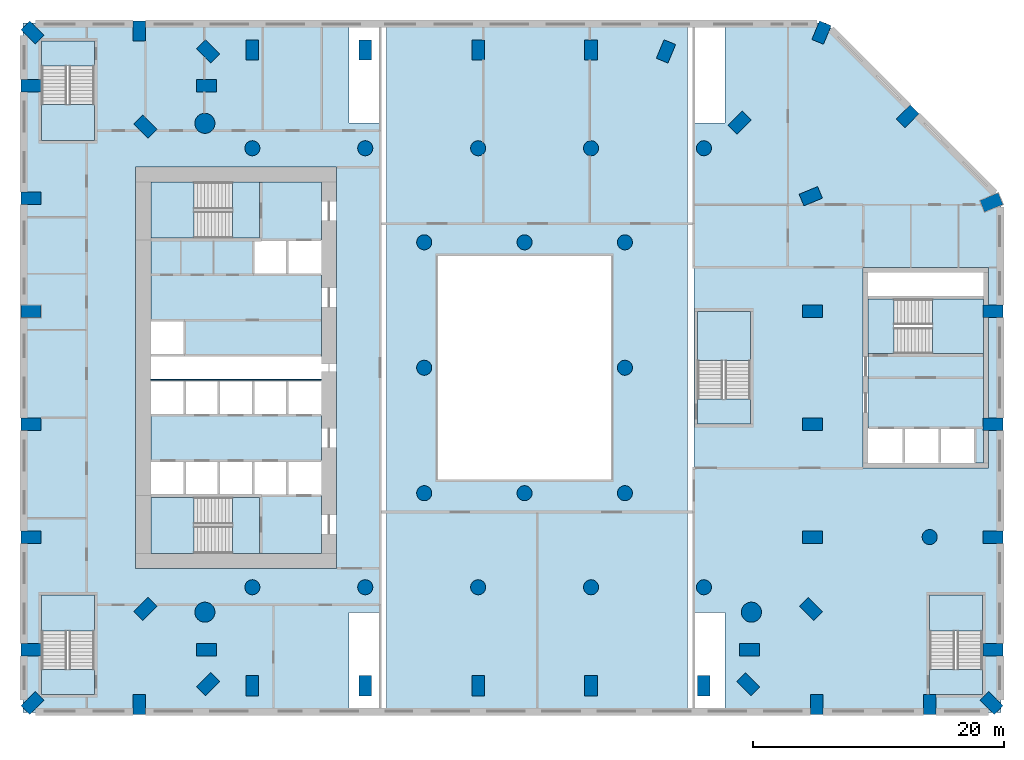
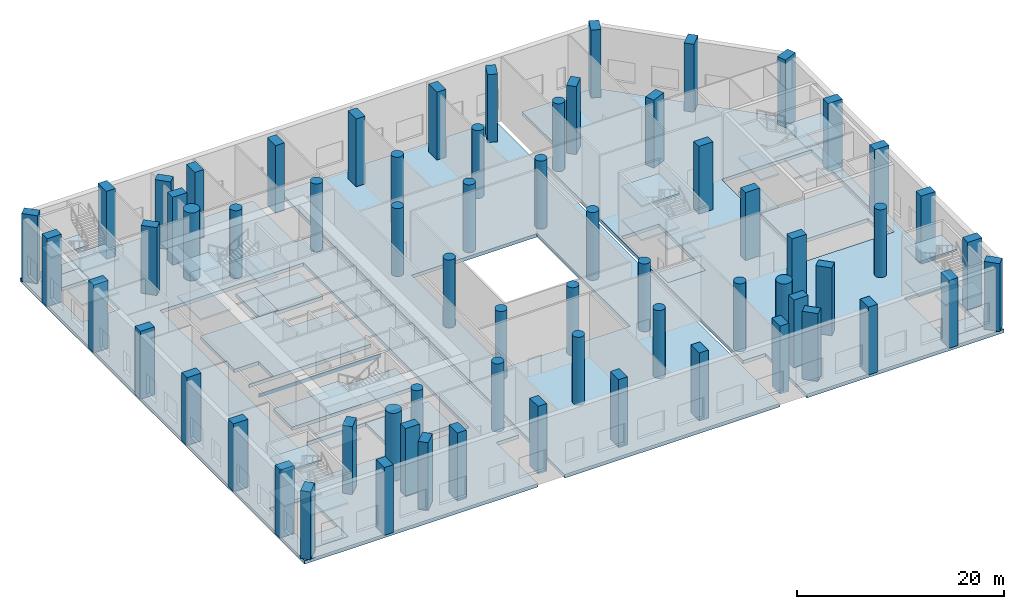
# One storey, part 1 of 18: 66 columns, 36 slabs, 7 elements without a shape of their own.
"""IFC4 building model written with IfcOpenShell, lengths in metres."""

from ifc_helpers import new_model, si_unit, direction, frame, origin, origin_2d, place, context, subcontext, project, spatial, polyline, rectangle, circle, outline, extrude, material, layer, layer_set, material_profile, profile_set, type_object, element, aggregate, save


model = new_model("IFC4")

# Units and contexts
model_context = context("Model", 3, precision=1e-05, world=origin(), true_north=direction((0.0, 1.0)))
body_context = subcontext(model_context, "Body", "Model", "MODEL_VIEW")
ifc_project = project(units=[si_unit("LENGTHUNIT", "METRE"), si_unit("AREAUNIT", "SQUARE_METRE"), si_unit("VOLUMEUNIT", "CUBIC_METRE"), si_unit("PLANEANGLEUNIT", "RADIAN"), si_unit("MASSUNIT", "GRAM", prefix="KILO")], contexts=[model_context])

# Site, building, storey
site_placement = place(None, origin())
site = spatial("IfcSite", under=ifc_project, at=site_placement, CompositionType="ELEMENT")
building_placement = place(site_placement, origin())
building = spatial("IfcBuilding", under=site, at=building_placement, Name="Cypress Arch Tower", CompositionType="ELEMENT")
storey_placement = place(building_placement, frame((0.0, 0.0, 36.0)))
storey = spatial("IfcBuildingStorey", under=building, at=storey_placement, Name="L04", CompositionType="ELEMENT", Elevation=36.0)

# Columns
ifc_material_1 = material(Name="Concrete C80/95", Category="concrete")
ifc_material_profile_1 = material_profile(ifc_material_1, circle(Radius=0.60009765625, at=origin_2d()), Name="RC D1200")
ifc_profile_set_1 = profile_set([ifc_material_profile_1], Name="Concrete C80/95")
column_type_1 = type_object("IfcColumnType", Name="Column RC D1200 Concrete C80/95", PredefinedType="COLUMN", material=ifc_profile_set_1)
for number, where, z_axis, x_axis, name in (
    (1, (-20.699951171875, -17.5, 0.0), (0.0, 0.0, 1.0), (1.0, 0.0, 0.0), "Column L04 CIC-L04-CI3S"),
    (2, (-11.699951171875, -17.5, 0.0), (0.0, 0.0, 1.0), (1.0, 0.0, 0.0), "Column L04 CIC-L04-CI4S"),
    (3, (-2.699951171875, -17.5, 0.0), (0.0, 0.0, 1.0), (1.0, 0.0, 0.0), "Column L04 CIC-L04-CI5S"),
    (4, (6.300048828125, -17.5, 0.0), (0.0, 0.0, 1.0), (1.0, 0.0, 0.0), "Column L04 CIC-L04-CI6S"),
    (5, (15.300048828125, -17.5, 0.0), (0.0, 0.0, 1.0), (1.0, 0.0, 0.0), "Column L04 CIC-L04-CI7S"),
    (6, (-20.699951171875, 17.5, 0.0), (0.0, 0.0, 1.0), (1.0, 0.0, 0.0), "Column L04 CIC-L04-CI3N"),
    (7, (-11.699951171875, 17.5, 0.0), (0.0, 0.0, 1.0), (1.0, 0.0, 0.0), "Column L04 CIC-L04-CI4N"),
    (8, (-2.699951171875, 17.5, 0.0), (0.0, 0.0, 1.0), (1.0, 0.0, 0.0), "Column L04 CIC-L04-CI5N"),
    (9, (6.300048828125, 17.5, 0.0), (0.0, 0.0, 1.0), (1.0, 0.0, 0.0), "Column L04 CIC-L04-CI6N"),
    (10, (15.300048828125, 17.5, 0.0), (0.0, 0.0, 1.0), (1.0, 0.0, 0.0), "Column L04 CIC-L04-CI7N"),
    (11, (-7.0, -10.0, 0.0), (0.0, 0.0, 1.0), (1.0, 0.0, 0.0), "Column L04 RNG-L04-G-7-10"),
    (12, (-7.0, 0.0, 0.0), (0.0, 0.0, 1.0), (1.0, 0.0, 0.0), "Column L04 RNG-L04-G-7+0"),
    (13, (-7.0, 10.0, 0.0), (0.0, 0.0, 1.0), (1.0, 0.0, 0.0), "Column L04 RNG-L04-G-7+10"),
    (14, (1.0, -10.0, 0.0), (0.0, 0.0, 1.0), (1.0, 0.0, 0.0), "Column L04 RNG-L04-G+1-10"),
    (15, (1.0, 10.0, 0.0), (0.0, 0.0, 1.0), (1.0, 0.0, 0.0), "Column L04 RNG-L04-G+1+10"),
    (16, (9.0, -10.0, 0.0), (0.0, 0.0, 1.0), (1.0, 0.0, 0.0), "Column L04 RNG-L04-G+9-10"),
    (17, (9.0, 0.0, 0.0), (0.0, 0.0, 1.0), (1.0, 0.0, 0.0), "Column L04 RNG-L04-G+9+0"),
    (18, (9.0, 10.0, 0.0), (0.0, 0.0, 1.0), (1.0, 0.0, 0.0), "Column L04 RNG-L04-G+9+10"),
    (19, (33.300048828125, -13.5, 0.0), (0.0, 0.0, 1.0), (1.0, 0.0, 0.0), "Column L04 PIC-L04-01"),
):
    element("IfcColumn", number, at=place(storey_placement, frame(where, z_axis=z_axis, x_axis=x_axis)), inside=storey, type_object=column_type_1, Name=name, PredefinedType="COLUMN", context=body_context, shape_type="SweptSolid", body=[
        extrude(circle(Radius=0.60009765625, at=origin_2d()), origin(), (0.0, 0.0, 1.0), 8.0),
    ])
ifc_material_2 = material(Name="Concrete C80/95", Category="concrete")
ifc_material_profile_2 = material_profile(ifc_material_2, circle(Radius=0.800048828125, at=origin_2d()), Name="RC D1600")
ifc_profile_set_2 = profile_set([ifc_material_profile_2], Name="Concrete C80/95")
column_type_2 = type_object("IfcColumnType", Name="Mega-column RC D1600 Concrete C80/95", PredefinedType="COLUMN", material=ifc_profile_set_2)
for number, where, z_axis, x_axis, name in (
    (20, (-24.48779296875, -19.48779296875, 0.0), (0.0, 0.0, 1.0), (1.0, 0.0, 0.0), "Column L04 CA02"),
    (21, (19.087890625, -19.48779296875, 0.0), (0.0, 0.0, 1.0), (1.0, 0.0, 0.0), "Column L04 CA12"),
    (22, (-24.48779296875, 19.48779296875, 0.0), (0.0, 0.0, 1.0), (1.0, 0.0, 0.0), "Column L04 CA26"),
):
    element("IfcColumn", number, at=place(storey_placement, frame(where, z_axis=z_axis, x_axis=x_axis)), inside=storey, type_object=column_type_2, Name=name, PredefinedType="COLUMN", context=body_context, shape_type="SweptSolid", body=[
        extrude(circle(Radius=0.800048828125, at=origin_2d()), origin(), (0.0, 0.0, 1.0), 8.0),
    ])
ifc_material_3 = material(Name="Concrete C80/95", Category="concrete")
ifc_material_profile_3 = material_profile(ifc_material_3, rectangle(XDim=1.0, YDim=1.60009765625, at=origin_2d()), Name="RC 1000x1600")
ifc_profile_set_3 = profile_set([ifc_material_profile_3], Name="Concrete C80/95")
column_type_3 = type_object("IfcColumnType", Name="Podium column RC 1000x1600 Concrete C80/95", PredefinedType="COLUMN", material=ifc_profile_set_3)
for number, where, z_axis, x_axis, name in (
    (23, (-29.230712890625, 19.230712890625, 0.0), (0.0, 0.0, 1.0), (-0.707106781187, -0.707106781187, 0.0), "Column L04 CA00"),
    (24, (-29.230712890625, -19.230712890625, 0.0), (0.0, 0.0, 1.0), (0.707106781187, -0.707106781187, 0.0), "Column L04 CA01"),
    (25, (-24.35009765625, -22.5, 0.0), (0.0, 0.0, 1.0), (0.0, -1.0, 0.0), "Column L04 CA03"),
    (26, (-24.230712890625, -25.230712890625, 0.0), (0.0, 0.0, 1.0), (0.707106781187, -0.707106781187, 0.0), "Column L04 CA04"),
    (27, (-20.699951171875, -25.35009765625, 0.0), (0.0, 0.0, 1.0), (1.0, 0.0, 0.0), "Column L04 CA05"),
    (28, (-11.699951171875, -25.35009765625, 0.0), (0.0, 0.0, 1.0), (1.0, 0.0, 0.0), "Column L04 CA06"),
    (29, (-2.699951171875, -25.35009765625, 0.0), (0.0, 0.0, 1.0), (1.0, 0.0, 0.0), "Column L04 CA07"),
    (30, (6.300048828125, -25.35009765625, 0.0), (0.0, 0.0, 1.0), (1.0, 0.0, 0.0), "Column L04 CA08"),
    (31, (15.300048828125, -25.35009765625, 0.0), (0.0, 0.0, 1.0), (1.0, 0.0, 0.0), "Column L04 CA09"),
    (32, (18.830810546875, -25.230712890625, 0.0), (0.0, 0.0, 1.0), (0.707106781187, 0.707106781187, 0.0), "Column L04 CA10"),
    (33, (18.949951171875, -22.5, 0.0), (0.0, 0.0, 1.0), (0.0, 1.0, 0.0), "Column L04 CA11"),
    (34, (23.830810546875, -19.230712890625, 0.0), (0.0, 0.0, 1.0), (0.707106781187, 0.707106781187, 0.0), "Column L04 CA13"),
    (35, (23.949951171875, -13.5, 0.0), (0.0, 0.0, 1.0), (0.0, 1.0, 0.0), "Column L04 CA14"),
    (36, (23.949951171875, -4.5, 0.0), (0.0, 0.0, 1.0), (0.0, 1.0, 0.0), "Column L04 CA15"),
    (37, (23.949951171875, 4.5, 0.0), (0.0, 0.0, 1.0), (0.0, 1.0, 0.0), "Column L04 CA16"),
    (38, (23.819580078125, 13.6767578125, 0.0), (0.0, 0.0, 1.0), (-0.382683496864, 0.923879505795, 0.0), "Column L04 CA17"),
    (39, (18.140380859375, 19.540283203125, 0.0), (0.0, 0.0, 1.0), (-0.707106781187, 0.707106781187, 0.0), "Column L04 CA18"),
    (40, (12.276611328125, 25.219482421875, 0.0), (0.0, 0.0, 1.0), (-0.923879505795, 0.382683496864, 0.0), "Column L04 CA19"),
    (41, (6.300048828125, 25.35009765625, 0.0), (0.0, 0.0, 1.0), (-1.0, 0.0, 0.0), "Column L04 CA20"),
    (42, (-2.699951171875, 25.35009765625, 0.0), (0.0, 0.0, 1.0), (-1.0, 0.0, 0.0), "Column L04 CA21"),
    (43, (-11.699951171875, 25.35009765625, 0.0), (0.0, 0.0, 1.0), (-1.0, 0.0, 0.0), "Column L04 CA22"),
    (44, (-20.699951171875, 25.35009765625, 0.0), (0.0, 0.0, 1.0), (-1.0, 0.0, 0.0), "Column L04 CA23"),
    (45, (-24.230712890625, 25.230712890625, 0.0), (0.0, 0.0, 1.0), (-0.707106781187, -0.707106781187, 0.0), "Column L04 CA24"),
    (46, (-24.35009765625, 22.5, 0.0), (0.0, 0.0, 1.0), (0.0, -1.0, 0.0), "Column L04 CA25"),
    (47, (-38.230712890625, -26.730712890625, 0.0), (0.0, 0.0, 1.0), (0.707106781187, -0.707106781187, 0.0), "Column L04 CP00"),
    (48, (-29.699951171875, -26.85009765625, 0.0), (0.0, 0.0, 1.0), (1.0, 0.0, 0.0), "Column L04 CP01"),
    (49, (24.300048828125, -26.85009765625, 0.0), (0.0, 0.0, 1.0), (1.0, 0.0, 0.0), "Column L04 CP07"),
    (50, (33.300048828125, -26.85009765625, 0.0), (0.0, 0.0, 1.0), (1.0, 0.0, 0.0), "Column L04 CP08"),
    (51, (38.230712890625, -26.730712890625, 0.0), (0.0, 0.0, 1.0), (0.707106781187, 0.707106781187, 0.0), "Column L04 CP09"),
    (52, (38.35009765625, -22.5, 0.0), (0.0, 0.0, 1.0), (0.0, 1.0, 0.0), "Column L04 CP10"),
    (53, (38.35009765625, -13.5, 0.0), (0.0, 0.0, 1.0), (0.0, 1.0, 0.0), "Column L04 CP11"),
    (54, (38.35009765625, -4.5, 0.0), (0.0, 0.0, 1.0), (0.0, 1.0, 0.0), "Column L04 CP12"),
    (55, (38.35009765625, 4.5, 0.0), (0.0, 0.0, 1.0), (0.0, 1.0, 0.0), "Column L04 CP13"),
    (56, (38.219482421875, 13.1767578125, 0.0), (0.0, 0.0, 1.0), (-0.382683496864, 0.923879505795, 0.0), "Column L04 CP14"),
    (57, (31.540283203125, 20.040283203125, 0.0), (0.0, 0.0, 1.0), (-0.707106781187, 0.707106781187, 0.0), "Column L04 CP15"),
    (58, (24.6767578125, 26.719482421875, 0.0), (0.0, 0.0, 1.0), (-0.923879505795, 0.382683496864, 0.0), "Column L04 CP16"),
    (59, (-29.699951171875, 26.85009765625, 0.0), (0.0, 0.0, 1.0), (-1.0, 0.0, 0.0), "Column L04 CP22"),
    (60, (-38.230712890625, 26.730712890625, 0.0), (0.0, 0.0, 1.0), (-0.707106781187, -0.707106781187, 0.0), "Column L04 CP23"),
    (61, (-38.35009765625, 22.5, 0.0), (0.0, 0.0, 1.0), (0.0, -1.0, 0.0), "Column L04 CP24"),
    (62, (-38.35009765625, 13.5, 0.0), (0.0, 0.0, 1.0), (0.0, -1.0, 0.0), "Column L04 CP25"),
    (63, (-38.35009765625, 4.5, 0.0), (0.0, 0.0, 1.0), (0.0, -1.0, 0.0), "Column L04 CP26"),
    (64, (-38.35009765625, -4.5, 0.0), (0.0, 0.0, 1.0), (0.0, -1.0, 0.0), "Column L04 CP27"),
    (65, (-38.35009765625, -13.5, 0.0), (0.0, 0.0, 1.0), (0.0, -1.0, 0.0), "Column L04 CP28"),
    (66, (-38.35009765625, -22.5, 0.0), (0.0, 0.0, 1.0), (0.0, -1.0, 0.0), "Column L04 CP29"),
):
    element("IfcColumn", number, at=place(storey_placement, frame(where, z_axis=z_axis, x_axis=x_axis)), inside=storey, type_object=column_type_3, Name=name, PredefinedType="COLUMN", context=body_context, shape_type="SweptSolid", body=[
        extrude(rectangle(XDim=1.0, YDim=1.60009765625, at=origin_2d()), origin(), (0.0, 0.0, 1.0), 8.0),
    ])

# Slabs
ifc_material_4 = material(Name="Concrete C40/50", Category="concrete")
ifc_layer_1 = layer(ifc_material_4, 0.39990234375)
ifc_layer_set_1 = layer_set([ifc_layer_1], Name="Core floor CF400")
slab_type_1 = type_object("IfcSlabType", Name="Core floor CF400", PredefinedType="FLOOR", material=ifc_layer_set_1)
slab_1_placement = place(storey_placement, frame((0.0, 0.0, -0.39990234375)))
element("IfcSlab", 67, at=slab_1_placement, inside=storey, type_object=slab_type_1, Name="Stair floor landing", PredefinedType="FLOOR", context=body_context, shape_type="SweptSolid", body=[
    extrude(outline(polyline([(19.0, -4.5), (19.0, -2.5), (14.800048828125, -2.5), (14.800048828125, -4.5), (19.0, -4.5)])), origin(), (0.0, 0.0, 1.0), 0.39990234375),
])
slab_2_placement = place(storey_placement, frame((0.0, 0.0, -0.39990234375)))
element("IfcSlab", 68, at=slab_2_placement, inside=storey, type_object=slab_type_1, Name="Stair floor landing", PredefinedType="FLOOR", context=body_context, shape_type="SweptSolid", body=[
    extrude(outline(polyline([(-33.300048828125, -26.050048828125), (-33.300048828125, -24.050048828125), (-37.5, -24.050048828125), (-37.5, -26.050048828125), (-33.300048828125, -26.050048828125)])), origin(), (0.0, 0.0, 1.0), 0.39990234375),
])
slab_3_placement = place(storey_placement, frame((0.0, 0.0, -0.39990234375)))
element("IfcSlab", 69, at=slab_3_placement, inside=storey, type_object=slab_type_1, Name="Stair floor landing", PredefinedType="FLOOR", context=body_context, shape_type="SweptSolid", body=[
    extrude(outline(polyline([(-37.5, 26.050048828125), (-37.5, 24.050048828125), (-33.300048828125, 24.050048828125), (-33.300048828125, 26.050048828125), (-37.5, 26.050048828125)])), origin(), (0.0, 0.0, 1.0), 0.39990234375),
])
slab_4_placement = place(storey_placement, frame((0.0, 0.0, -0.39990234375)))
element("IfcSlab", 70, at=slab_4_placement, inside=storey, type_object=slab_type_1, Name="Stair floor landing", PredefinedType="FLOOR", context=body_context, shape_type="SweptSolid", body=[
    extrude(outline(polyline([(37.5, -26.050048828125), (37.5, -24.050048828125), (33.300048828125, -24.050048828125), (33.300048828125, -26.050048828125), (37.5, -26.050048828125)])), origin(), (0.0, 0.0, 1.0), 0.39990234375),
])
ifc_material_5 = material(Name="Concrete C40/50", Category="concrete")
ifc_layer_2 = layer(ifc_material_5, 0.402099609375)
ifc_layer_set_2 = layer_set([ifc_layer_2], Name="Core floor CF402")
slab_type_2 = type_object("IfcSlabType", Name="Core floor CF402", PredefinedType="FLOOR", material=ifc_layer_set_2)
slab_5_placement = place(storey_placement, frame((0.0, 0.0, -0.402099609375)))
element("IfcSlab", 71, at=slab_5_placement, inside=storey, type_object=slab_type_2, Name="Core floor", PredefinedType="FLOOR", context=body_context, shape_type="SweptSolid", body=[
    extrude(outline(polyline([(-20.125, -14.800048828125), (-15.199951171875, -14.800048828125), (-15.199951171875, -10.199951171875), (-17.919921875, -10.199951171875), (-20.639892578125, -10.199951171875), (-23.360107421875, -10.199951171875), (-26.080078125, -10.199951171875), (-28.800048828125, -10.199951171875), (-28.800048828125, -10.324951171875), (-22.27490234375, -10.324951171875), (-20.125, -10.324951171875), (-20.125, -14.800048828125)])), origin(), (0.0, 0.0, 1.0), 0.402099609375),
])
slab_6_placement = place(storey_placement, frame((0.0, 0.0, -0.402099609375)))
element("IfcSlab", 72, at=slab_6_placement, inside=storey, type_object=slab_type_2, Name="Core floor", PredefinedType="FLOOR", context=body_context, shape_type="SweptSolid", body=[
    extrude(outline(polyline([(-28.800048828125, -3.800048828125), (-28.800048828125, -7.39990234375), (-26.080078125, -7.39990234375), (-23.360107421875, -7.39990234375), (-20.639892578125, -7.39990234375), (-17.919921875, -7.39990234375), (-15.199951171875, -7.39990234375), (-15.199951171875, -3.800048828125), (-17.919921875, -3.800048828125), (-20.639892578125, -3.800048828125), (-23.360107421875, -3.800048828125), (-26.080078125, -3.800048828125), (-28.800048828125, -3.800048828125)])), origin(), (0.0, 0.0, 1.0), 0.402099609375),
])
slab_7_placement = place(storey_placement, frame((0.0, 0.0, -0.402099609375)))
element("IfcSlab", 73, at=slab_7_placement, inside=storey, type_object=slab_type_2, Name="Core floor", PredefinedType="FLOOR", context=body_context, shape_type="SweptSolid", body=[
    extrude(outline(polyline([(-28.800048828125, 3.800048828125), (-28.800048828125, 10.199951171875), (-28.800048828125, 10.324951171875), (-28.39990234375, 10.324951171875), (-22.27490234375, 10.324951171875), (-20.125, 10.324951171875), (-20.125, 14.800048828125), (-15.60009765625, 14.800048828125), (-15.199951171875, 14.800048828125), (-15.199951171875, 10.199951171875), (-15.60009765625, 10.199951171875), (-17.919921875, 10.199951171875), (-20.639892578125, 10.199951171875), (-20.639892578125, 7.39990234375), (-17.919921875, 7.39990234375), (-15.60009765625, 7.39990234375), (-15.199951171875, 7.39990234375), (-15.199951171875, 0.89990234375), (-15.60009765625, 0.89990234375), (-28.39990234375, 0.89990234375), (-28.800048828125, 0.89990234375), (-28.800048828125, 1.0), (-28.39990234375, 1.0), (-26.080078125, 1.0), (-26.080078125, 3.800048828125), (-28.39990234375, 3.800048828125), (-28.800048828125, 3.800048828125)])), origin(), (0.0, 0.0, 1.0), 0.402099609375),
])
slab_8_placement = place(storey_placement, frame((0.0, 0.0, -0.402099609375)))
element("IfcSlab", 74, at=slab_8_placement, inside=storey, type_object=slab_type_2, Name="Core floor", PredefinedType="FLOOR", context=body_context, shape_type="SweptSolid", body=[
    extrude(outline(polyline([(-22.27490234375, -10.324951171875), (-22.27490234375, -14.800048828125), (-20.125, -14.800048828125), (-20.125, -10.324951171875), (-22.27490234375, -10.324951171875)])), origin(), (0.0, 0.0, 1.0), 0.402099609375),
])
slab_9_placement = place(storey_placement, frame((0.0, 0.0, -0.402099609375)))
element("IfcSlab", 75, at=slab_9_placement, inside=storey, type_object=slab_type_2, Name="Core floor", PredefinedType="FLOOR", context=body_context, shape_type="SweptSolid", body=[
    extrude(outline(polyline([(-20.125, 14.800048828125), (-22.27490234375, 14.800048828125), (-22.27490234375, 10.324951171875), (-20.125, 10.324951171875), (-20.125, 14.800048828125)])), origin(), (0.0, 0.0, 1.0), 0.402099609375),
])
slab_10_placement = place(storey_placement, frame((0.0, 0.0, -0.402099609375)))
element("IfcSlab", 76, at=slab_10_placement, inside=storey, type_object=slab_type_2, Name="East core floor", PredefinedType="FLOOR", context=body_context, shape_type="SweptSolid", body=[
    extrude(outline(polyline([(37.60009765625, -7.60009765625), (37.60009765625, 1.125), (30.449951171875, 1.125), (28.39990234375, 1.125), (28.39990234375, -4.800048828125), (31.25, -4.800048828125), (34.10009765625, -4.800048828125), (36.949951171875, -4.800048828125), (36.949951171875, -7.60009765625), (37.60009765625, -7.60009765625)])), origin(), (0.0, 0.0, 1.0), 0.402099609375),
])
slab_11_placement = place(storey_placement, frame((0.0, 0.0, -0.402099609375)))
element("IfcSlab", 77, at=slab_11_placement, inside=storey, type_object=slab_type_2, Name="East core floor", PredefinedType="FLOOR", context=body_context, shape_type="SweptSolid", body=[
    extrude(outline(polyline([(30.449951171875, 5.47509765625), (28.39990234375, 5.47509765625), (28.39990234375, 1.125), (30.449951171875, 1.125), (30.449951171875, 5.47509765625)])), origin(), (0.0, 0.0, 1.0), 0.402099609375),
])
slab_12_placement = place(storey_placement, frame((0.0, 0.0, -0.402099609375)))
element("IfcSlab", 78, at=slab_12_placement, inside=storey, type_object=slab_type_2, Name="Core floor", PredefinedType="FLOOR", context=body_context, shape_type="SweptSolid", body=[
    extrude(outline(polyline([(-20.639892578125, -1.0), (-23.360107421875, -1.0), (-26.080078125, -1.0), (-28.39990234375, -1.0), (-28.800048828125, -1.0), (-28.800048828125, -0.89990234375), (-28.39990234375, -0.89990234375), (-15.60009765625, -0.89990234375), (-15.199951171875, -0.89990234375), (-15.199951171875, -1.0), (-15.60009765625, -1.0), (-17.919921875, -1.0), (-20.639892578125, -1.0)])), origin(), (0.0, 0.0, 1.0), 0.402099609375),
])
ifc_material_6 = material(Name="Concrete C40/50", Category="concrete")
ifc_layer_3 = layer(ifc_material_6, 0.39990234375)
ifc_layer_set_3 = layer_set([ifc_layer_3], Name="Podium flat slab 400 Concrete C40/50")
slab_type_3 = type_object("IfcSlabType", Name="Podium flat slab 400 Concrete C40/50", PredefinedType="FLOOR", material=ifc_layer_set_3)
slab_13_placement = place(storey_placement, frame((0.0, 0.0, -0.39990234375)))
element("IfcSlab", 79, at=slab_13_placement, inside=storey, type_object=slab_type_3, Name="Floor slab L04", PredefinedType="FLOOR", context=body_context, shape_type="SweptSolid", body=[
    extrude(outline(polyline([(-39.0, -27.5), (-39.0, 27.5), (-13.0, 27.5), (-13.0, 19.5), (-10.5, 19.5), (-10.5, -19.5), (-13.0, -19.5), (-13.0, -27.5), (-39.0, -27.5)]), holes=[polyline([(-33.300048828125, -18.1298828125), (-37.5, -18.1298828125), (-37.5, -26.050048828125), (-33.300048828125, -26.050048828125), (-33.300048828125, -18.1298828125)]), polyline([(-14.0, 16.0), (-30.0, 16.0), (-30.0, -16.0), (-14.0, -16.0), (-14.0, 16.0)]), polyline([(-37.5, 18.1298828125), (-33.300048828125, 18.1298828125), (-33.300048828125, 26.050048828125), (-37.5, 26.050048828125), (-37.5, 18.1298828125)])]), origin(), (0.0, 0.0, 1.0), 0.39990234375),
])
slab_14_placement = place(storey_placement, frame((0.0, 0.0, -0.39990234375)))
element("IfcSlab", 80, at=slab_14_placement, inside=storey, type_object=slab_type_3, Name="Floor slab L04", PredefinedType="FLOOR", context=body_context, shape_type="SweptSolid", body=[
    extrude(outline(polyline([(-10.0, -27.5), (-10.0, -19.5), (-10.0, 19.5), (-10.0, 27.5), (14.0, 27.5), (14.0, 19.5), (14.0, -19.5), (14.0, -27.5), (-10.0, -27.5)]), holes=[polyline([(8.0, 9.0), (-6.0, 9.0), (-6.0, -9.0), (8.0, -9.0), (8.0, 9.0)])]), origin(), (0.0, 0.0, 1.0), 0.39990234375),
])
slab_15_placement = place(storey_placement, frame((0.0, 0.0, -0.39990234375)))
element("IfcSlab", 81, at=slab_15_placement, inside=storey, type_object=slab_type_3, Name="Floor slab L04", PredefinedType="FLOOR", context=body_context, shape_type="SweptSolid", body=[
    extrude(outline(polyline([(25.0, 27.5), (39.0, 13.5), (39.0, -27.5), (17.0, -27.5), (17.0, -19.5), (14.5, -19.5), (14.5, 19.5), (17.0, 19.5), (17.0, 27.5), (25.0, 27.5)]), holes=[polyline([(37.5, -18.1298828125), (33.300048828125, -18.1298828125), (33.300048828125, -26.050048828125), (37.5, -26.050048828125), (37.5, -18.1298828125)]), polyline([(19.0, 4.5), (14.800048828125, 4.5), (14.800048828125, -4.5), (19.0, -4.5), (19.0, 4.5)]), polyline([(38.0, 8.0), (28.0, 8.0), (28.0, -8.0), (38.0, -8.0), (38.0, 8.0)])]), origin(), (0.0, 0.0, 1.0), 0.39990234375),
])

# Stair, slabs
ifc_material_7 = material(Name="Concrete C40/50", Category="concrete")
stair_type_1 = type_object("IfcStairType", Name="Exit stair ES1667-215", PredefinedType="HALF_TURN_STAIR", material=ifc_material_7)
stair_1_placement = place(storey_placement, origin())
stair_1 = element("IfcStair", 82, at=stair_1_placement, inside=storey, type_object=stair_type_1, Name="L04 Exit stair A", PredefinedType="HALF_TURN_STAIR")
ifc_material_8 = material(Name="Concrete C40/50", Category="concrete")
ifc_layer_4 = layer(ifc_material_8, 0.199951171875)
ifc_layer_set_4 = layer_set([ifc_layer_4], Name="Stair landing SL200")
slab_type_4 = type_object("IfcSlabType", Name="Stair landing SL200", PredefinedType="LANDING", material=ifc_layer_set_4)
slab_16_placement = place(storey_placement, frame((0.0, 0.0, 1.800048828125)))
slab_16 = element("IfcSlab", 83, at=slab_16_placement, type_object=slab_type_4, Name="A landing 1", PredefinedType="LANDING", context=body_context, shape_type="SweptSolid", body=[
    extrude(outline(polyline([(-25.35498046875, -10.324951171875), (-28.800048828125, -10.324951171875), (-28.800048828125, -14.800048828125), (-25.35498046875, -14.800048828125), (-25.35498046875, -10.324951171875)])), origin(), (0.0, 0.0, 1.0), 0.199951171875),
])
slab_17_placement = place(storey_placement, frame((0.0, 0.0, 3.800048828125)))
slab_17 = element("IfcSlab", 84, at=slab_17_placement, type_object=slab_type_4, Name="A landing 2", PredefinedType="LANDING", context=body_context, shape_type="SweptSolid", body=[
    extrude(outline(polyline([(-20.125, -10.324951171875), (-22.27490234375, -10.324951171875), (-22.27490234375, -14.800048828125), (-20.125, -14.800048828125), (-20.125, -10.324951171875)])), origin(), (0.0, 0.0, 1.0), 0.199951171875),
])
slab_18_placement = place(storey_placement, frame((0.0, 0.0, 5.800048828125)))
slab_18 = element("IfcSlab", 85, at=slab_18_placement, type_object=slab_type_4, Name="A landing 3", PredefinedType="LANDING", context=body_context, shape_type="SweptSolid", body=[
    extrude(outline(polyline([(-25.35498046875, -10.324951171875), (-28.800048828125, -10.324951171875), (-28.800048828125, -14.800048828125), (-25.35498046875, -14.800048828125), (-25.35498046875, -10.324951171875)])), origin(), (0.0, 0.0, 1.0), 0.199951171875),
])
aggregate(stair_1, [slab_16, slab_17, slab_18])

stair_2_placement = place(storey_placement, origin())
stair_2 = element("IfcStair", 86, at=stair_2_placement, inside=storey, type_object=stair_type_1, Name="L04 Exit stair B", PredefinedType="HALF_TURN_STAIR")
slab_19_placement = place(storey_placement, frame((0.0, 0.0, 1.800048828125)))
slab_19 = element("IfcSlab", 87, at=slab_19_placement, type_object=slab_type_4, Name="B landing 1", PredefinedType="LANDING", context=body_context, shape_type="SweptSolid", body=[
    extrude(outline(polyline([(-25.35498046875, 14.800048828125), (-28.800048828125, 14.800048828125), (-28.800048828125, 10.324951171875), (-25.35498046875, 10.324951171875), (-25.35498046875, 14.800048828125)])), origin(), (0.0, 0.0, 1.0), 0.199951171875),
])
slab_20_placement = place(storey_placement, frame((0.0, 0.0, 3.800048828125)))
slab_20 = element("IfcSlab", 88, at=slab_20_placement, type_object=slab_type_4, Name="B landing 2", PredefinedType="LANDING", context=body_context, shape_type="SweptSolid", body=[
    extrude(outline(polyline([(-20.125, 14.800048828125), (-22.27490234375, 14.800048828125), (-22.27490234375, 10.324951171875), (-20.125, 10.324951171875), (-20.125, 14.800048828125)])), origin(), (0.0, 0.0, 1.0), 0.199951171875),
])
slab_21_placement = place(storey_placement, frame((0.0, 0.0, 5.800048828125)))
slab_21 = element("IfcSlab", 89, at=slab_21_placement, type_object=slab_type_4, Name="B landing 3", PredefinedType="LANDING", context=body_context, shape_type="SweptSolid", body=[
    extrude(outline(polyline([(-25.35498046875, 14.800048828125), (-28.800048828125, 14.800048828125), (-28.800048828125, 10.324951171875), (-25.35498046875, 10.324951171875), (-25.35498046875, 14.800048828125)])), origin(), (0.0, 0.0, 1.0), 0.199951171875),
])
aggregate(stair_2, [slab_19, slab_20, slab_21])

ifc_material_9 = material(Name="Concrete C40/50", Category="concrete")
stair_type_2 = type_object("IfcStairType", Name="Exit stair ES1667-200", PredefinedType="HALF_TURN_STAIR", material=ifc_material_9)
stair_3_placement = place(storey_placement, origin())
stair_3 = element("IfcStair", 90, at=stair_3_placement, inside=storey, type_object=stair_type_2, Name="L04 Exit stair C", PredefinedType="HALF_TURN_STAIR")
slab_22_placement = place(storey_placement, frame((0.0, 0.0, 1.800048828125)))
slab_22 = element("IfcSlab", 91, at=slab_22_placement, type_object=slab_type_4, Name="C landing 1", PredefinedType="LANDING", context=body_context, shape_type="SweptSolid", body=[
    extrude(outline(polyline([(19.0, 0.580078125), (19.0, 4.5), (14.800048828125, 4.5), (14.800048828125, 0.580078125), (19.0, 0.580078125)])), origin(), (0.0, 0.0, 1.0), 0.199951171875),
])
slab_23_placement = place(storey_placement, frame((0.0, 0.0, 3.800048828125)))
slab_23 = element("IfcSlab", 92, at=slab_23_placement, type_object=slab_type_4, Name="C landing 2", PredefinedType="LANDING", context=body_context, shape_type="SweptSolid", body=[
    extrude(outline(polyline([(19.0, -4.5), (19.0, -2.5), (14.800048828125, -2.5), (14.800048828125, -4.5), (19.0, -4.5)])), origin(), (0.0, 0.0, 1.0), 0.199951171875),
])
slab_24_placement = place(storey_placement, frame((0.0, 0.0, 5.800048828125)))
slab_24 = element("IfcSlab", 93, at=slab_24_placement, type_object=slab_type_4, Name="C landing 3", PredefinedType="LANDING", context=body_context, shape_type="SweptSolid", body=[
    extrude(outline(polyline([(19.0, 0.580078125), (19.0, 4.5), (14.800048828125, 4.5), (14.800048828125, 0.580078125), (19.0, 0.580078125)])), origin(), (0.0, 0.0, 1.0), 0.199951171875),
])
aggregate(stair_3, [slab_22, slab_23, slab_24])

stair_4_placement = place(storey_placement, origin())
stair_4 = element("IfcStair", 94, at=stair_4_placement, inside=storey, type_object=stair_type_2, Name="L04 Exit stair P1", PredefinedType="HALF_TURN_STAIR")
slab_25_placement = place(storey_placement, frame((0.0, 0.0, 1.800048828125)))
slab_25 = element("IfcSlab", 95, at=slab_25_placement, type_object=slab_type_4, Name="P1 landing 1", PredefinedType="LANDING", context=body_context, shape_type="SweptSolid", body=[
    extrude(outline(polyline([(-33.300048828125, -20.969970703125), (-33.300048828125, -18.1298828125), (-37.5, -18.1298828125), (-37.5, -20.969970703125), (-33.300048828125, -20.969970703125)])), origin(), (0.0, 0.0, 1.0), 0.199951171875),
])
slab_26_placement = place(storey_placement, frame((0.0, 0.0, 3.800048828125)))
slab_26 = element("IfcSlab", 96, at=slab_26_placement, type_object=slab_type_4, Name="P1 landing 2", PredefinedType="LANDING", context=body_context, shape_type="SweptSolid", body=[
    extrude(outline(polyline([(-33.300048828125, -26.050048828125), (-33.300048828125, -24.050048828125), (-37.5, -24.050048828125), (-37.5, -26.050048828125), (-33.300048828125, -26.050048828125)])), origin(), (0.0, 0.0, 1.0), 0.199951171875),
])
slab_27_placement = place(storey_placement, frame((0.0, 0.0, 5.800048828125)))
slab_27 = element("IfcSlab", 97, at=slab_27_placement, type_object=slab_type_4, Name="P1 landing 3", PredefinedType="LANDING", context=body_context, shape_type="SweptSolid", body=[
    extrude(outline(polyline([(-33.300048828125, -20.969970703125), (-33.300048828125, -18.1298828125), (-37.5, -18.1298828125), (-37.5, -20.969970703125), (-33.300048828125, -20.969970703125)])), origin(), (0.0, 0.0, 1.0), 0.199951171875),
])
aggregate(stair_4, [slab_25, slab_26, slab_27])

stair_5_placement = place(storey_placement, origin())
stair_5 = element("IfcStair", 98, at=stair_5_placement, inside=storey, type_object=stair_type_2, Name="L04 Exit stair P2", PredefinedType="HALF_TURN_STAIR")
slab_28_placement = place(storey_placement, frame((0.0, 0.0, 1.800048828125)))
slab_28 = element("IfcSlab", 99, at=slab_28_placement, type_object=slab_type_4, Name="P2 landing 1", PredefinedType="LANDING", context=body_context, shape_type="SweptSolid", body=[
    extrude(outline(polyline([(-37.5, 20.969970703125), (-37.5, 18.1298828125), (-33.300048828125, 18.1298828125), (-33.300048828125, 20.969970703125), (-37.5, 20.969970703125)])), origin(), (0.0, 0.0, 1.0), 0.199951171875),
])
slab_29_placement = place(storey_placement, frame((0.0, 0.0, 3.800048828125)))
slab_29 = element("IfcSlab", 100, at=slab_29_placement, type_object=slab_type_4, Name="P2 landing 2", PredefinedType="LANDING", context=body_context, shape_type="SweptSolid", body=[
    extrude(outline(polyline([(-37.5, 26.050048828125), (-37.5, 24.050048828125), (-33.300048828125, 24.050048828125), (-33.300048828125, 26.050048828125), (-37.5, 26.050048828125)])), origin(), (0.0, 0.0, 1.0), 0.199951171875),
])
slab_30_placement = place(storey_placement, frame((0.0, 0.0, 5.800048828125)))
slab_30 = element("IfcSlab", 101, at=slab_30_placement, type_object=slab_type_4, Name="P2 landing 3", PredefinedType="LANDING", context=body_context, shape_type="SweptSolid", body=[
    extrude(outline(polyline([(-37.5, 20.969970703125), (-37.5, 18.1298828125), (-33.300048828125, 18.1298828125), (-33.300048828125, 20.969970703125), (-37.5, 20.969970703125)])), origin(), (0.0, 0.0, 1.0), 0.199951171875),
])
aggregate(stair_5, [slab_28, slab_29, slab_30])

ifc_material_10 = material(Name="Concrete C40/50", Category="concrete")
stair_type_3 = type_object("IfcStairType", Name="Exit stair ES1667-205", PredefinedType="HALF_TURN_STAIR", material=ifc_material_10)
stair_6_placement = place(storey_placement, origin())
stair_6 = element("IfcStair", 102, at=stair_6_placement, inside=storey, type_object=stair_type_3, Name="L04 Exit stair P3", PredefinedType="HALF_TURN_STAIR")
slab_31_placement = place(storey_placement, frame((0.0, 0.0, 1.800048828125)))
slab_31 = element("IfcSlab", 103, at=slab_31_placement, type_object=slab_type_4, Name="P3 landing 1", PredefinedType="LANDING", context=body_context, shape_type="SweptSolid", body=[
    extrude(outline(polyline([(33.530029296875, 1.125), (37.60009765625, 1.125), (37.60009765625, 5.47509765625), (33.530029296875, 5.47509765625), (33.530029296875, 1.125)])), origin(), (0.0, 0.0, 1.0), 0.199951171875),
])
slab_32_placement = place(storey_placement, frame((0.0, 0.0, 3.800048828125)))
slab_32 = element("IfcSlab", 104, at=slab_32_placement, type_object=slab_type_4, Name="P3 landing 2", PredefinedType="LANDING", context=body_context, shape_type="SweptSolid", body=[
    extrude(outline(polyline([(28.39990234375, 1.125), (30.449951171875, 1.125), (30.449951171875, 5.47509765625), (28.39990234375, 5.47509765625), (28.39990234375, 1.125)])), origin(), (0.0, 0.0, 1.0), 0.199951171875),
])
slab_33_placement = place(storey_placement, frame((0.0, 0.0, 5.800048828125)))
slab_33 = element("IfcSlab", 105, at=slab_33_placement, type_object=slab_type_4, Name="P3 landing 3", PredefinedType="LANDING", context=body_context, shape_type="SweptSolid", body=[
    extrude(outline(polyline([(33.530029296875, 1.125), (37.60009765625, 1.125), (37.60009765625, 5.47509765625), (33.530029296875, 5.47509765625), (33.530029296875, 1.125)])), origin(), (0.0, 0.0, 1.0), 0.199951171875),
])
aggregate(stair_6, [slab_31, slab_32, slab_33])

stair_7_placement = place(storey_placement, origin())
stair_7 = element("IfcStair", 106, at=stair_7_placement, inside=storey, type_object=stair_type_2, Name="L04 Exit stair P4", PredefinedType="HALF_TURN_STAIR")
slab_34_placement = place(storey_placement, frame((0.0, 0.0, 1.800048828125)))
slab_34 = element("IfcSlab", 107, at=slab_34_placement, type_object=slab_type_4, Name="P4 landing 1", PredefinedType="LANDING", context=body_context, shape_type="SweptSolid", body=[
    extrude(outline(polyline([(37.5, -20.969970703125), (37.5, -18.1298828125), (33.300048828125, -18.1298828125), (33.300048828125, -20.969970703125), (37.5, -20.969970703125)])), origin(), (0.0, 0.0, 1.0), 0.199951171875),
])
slab_35_placement = place(storey_placement, frame((0.0, 0.0, 3.800048828125)))
slab_35 = element("IfcSlab", 108, at=slab_35_placement, type_object=slab_type_4, Name="P4 landing 2", PredefinedType="LANDING", context=body_context, shape_type="SweptSolid", body=[
    extrude(outline(polyline([(37.5, -26.050048828125), (37.5, -24.050048828125), (33.300048828125, -24.050048828125), (33.300048828125, -26.050048828125), (37.5, -26.050048828125)])), origin(), (0.0, 0.0, 1.0), 0.199951171875),
])
slab_36_placement = place(storey_placement, frame((0.0, 0.0, 5.800048828125)))
slab_36 = element("IfcSlab", 109, at=slab_36_placement, type_object=slab_type_4, Name="P4 landing 3", PredefinedType="LANDING", context=body_context, shape_type="SweptSolid", body=[
    extrude(outline(polyline([(37.5, -20.969970703125), (37.5, -18.1298828125), (33.300048828125, -18.1298828125), (33.300048828125, -20.969970703125), (37.5, -20.969970703125)])), origin(), (0.0, 0.0, 1.0), 0.199951171875),
])
aggregate(stair_7, [slab_34, slab_35, slab_36])

save(model, "model.ifc")
